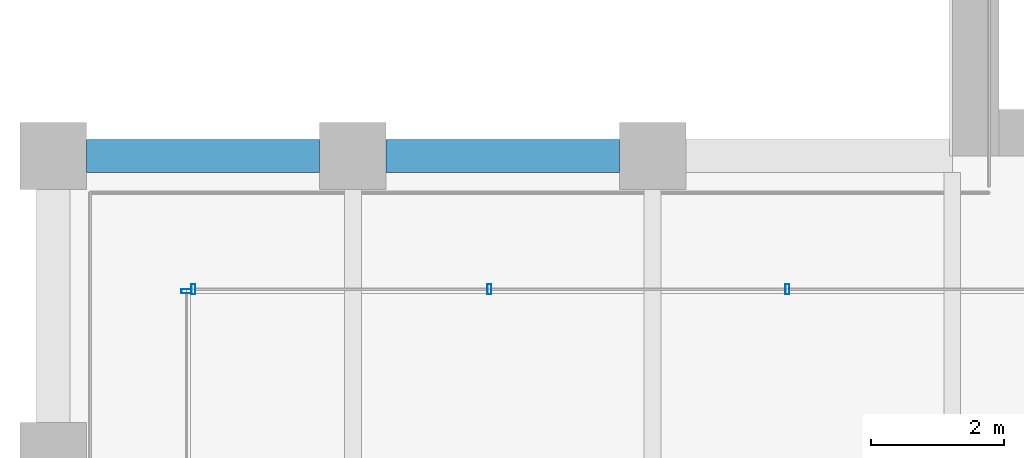
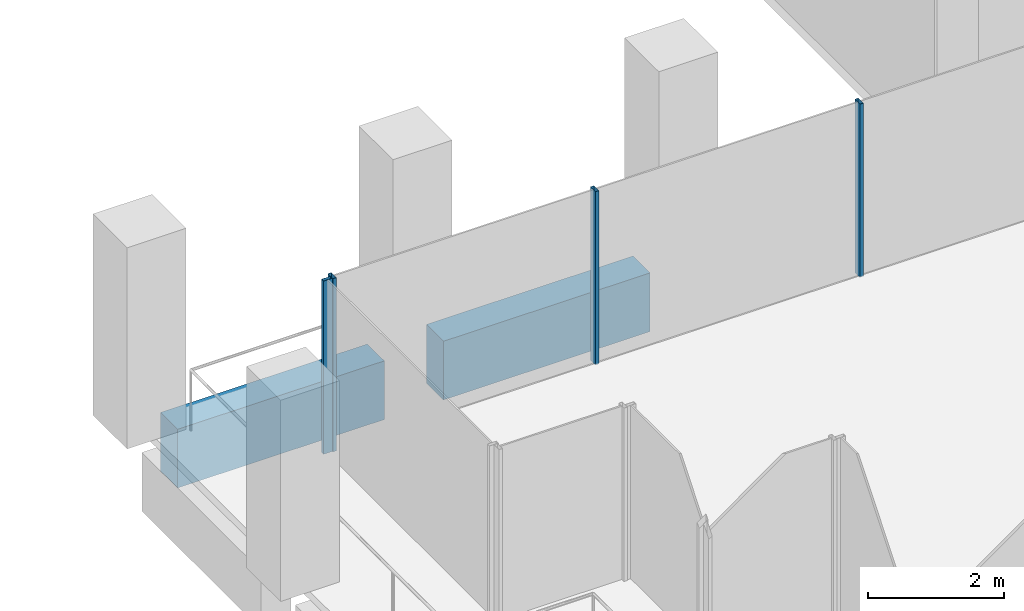
# One storey, part 5 of 47: 4 members, 2 beams, 2 elements without a shape of their own.
"""IFC4 building model written with IfcOpenShell, lengths in metres."""

from ifc_helpers import new_model, si_unit, direction, frame, origin, origin_2d, place, context, subcontext, project, spatial, rectangle, hollow_rectangle, extrude, material, material_profile, profile_set, type_object, element, aggregate, save


model = new_model("IFC4")

# Units and contexts
model_context = context("Model", 3, precision=1e-05, world=origin(), true_north=direction((0.0, 1.0)))
body_context = subcontext(model_context, "Body", "Model", "MODEL_VIEW")
ifc_project = project(units=[si_unit("LENGTHUNIT", "METRE"), si_unit("AREAUNIT", "SQUARE_METRE"), si_unit("VOLUMEUNIT", "CUBIC_METRE"), si_unit("PLANEANGLEUNIT", "RADIAN"), si_unit("MASSUNIT", "GRAM", prefix="KILO")], contexts=[model_context])

# Site, building, storey
site_placement = place(None, origin())
site = spatial("IfcSite", under=ifc_project, at=site_placement, CompositionType="ELEMENT")
building_placement = place(site_placement, origin())
building = spatial("IfcBuilding", under=site, at=building_placement, Name="Altepetl Exchange Towers", CompositionType="ELEMENT")
storey_placement = place(building_placement, frame((0.0, 0.0, 99.199951171875)))
storey = spatial("IfcBuildingStorey", under=building, at=storey_placement, Name="L24", CompositionType="ELEMENT", Elevation=99.199951171875)

# Curtain wall, members
ifc_material_1 = material(Name="Aluminium 6063-T6 glazing", Category="aluminium")
curtain_wall_type = type_object("IfcCurtainWallType", Name="Loggia glazing system", PredefinedType="NOTDEFINED", material=ifc_material_1)
curtain_wall_1_placement = place(storey_placement, origin())
curtain_wall_1 = element("IfcCurtainWall", 1, at=curtain_wall_1_placement, inside=storey, type_object=curtain_wall_type, Name="CW1 run", PredefinedType="NOTDEFINED")
ifc_material_2 = material(Name="Aluminium 6063-T6", Category="aluminium")
ifc_material_profile_1 = material_profile(ifc_material_2, hollow_rectangle(XDim=0.06005859375, YDim=0.14990234375, WallThickness=0.0029296875, at=origin_2d()), Name="Mullion 60x150 aluminium")
ifc_profile_set_1 = profile_set([ifc_material_profile_1], Name="Aluminium 6063-T6")
member_type = type_object("IfcMemberType", Name="Mullion 60x150 aluminium", PredefinedType="MULLION", material=ifc_profile_set_1)
member_1_placement = place(storey_placement, frame((38.02490234375, 38.5, 0.0), z_axis=(0.0, 0.0, 1.0), x_axis=(-1.0, 0.0, 0.0)))
member_1 = element("IfcMember", 2, at=member_1_placement, type_object=member_type, Name="MU1 mullion", PredefinedType="MULLION", context=body_context, shape_type="SweptSolid", body=[
    extrude(hollow_rectangle(XDim=0.06005859375, YDim=0.14990234375, WallThickness=0.0029296875, at=origin_2d()), origin(), (0.0, 0.0, 1.0), 3.10009765625),
])
member_2_placement = place(storey_placement, frame((33.550048828125, 38.5, 0.0), z_axis=(0.0, 0.0, 1.0), x_axis=(-1.0, 0.0, 0.0)))
member_2 = element("IfcMember", 3, at=member_2_placement, type_object=member_type, Name="MU1 mullion", PredefinedType="MULLION", context=body_context, shape_type="SweptSolid", body=[
    extrude(hollow_rectangle(XDim=0.06005859375, YDim=0.14990234375, WallThickness=0.0029296875, at=origin_2d()), origin(), (0.0, 0.0, 1.0), 3.10009765625),
])
member_3_placement = place(storey_placement, frame((29.10498046875, 38.5, 0.0), z_axis=(0.0, 0.0, 1.0), x_axis=(-1.0, 0.0, 0.0)))
member_3 = element("IfcMember", 4, at=member_3_placement, type_object=member_type, Name="MU1 mullion", PredefinedType="MULLION", context=body_context, shape_type="SweptSolid", body=[
    extrude(hollow_rectangle(XDim=0.06005859375, YDim=0.14990234375, WallThickness=0.0029296875, at=origin_2d()), origin(), (0.0, 0.0, 1.0), 3.10009765625),
])
aggregate(curtain_wall_1, [member_1, member_2, member_3])

# Curtain wall, member
curtain_wall_2_placement = place(storey_placement, origin())
curtain_wall_2 = element("IfcCurtainWall", 5, at=curtain_wall_2_placement, inside=storey, type_object=curtain_wall_type, Name="CW1 run", PredefinedType="NOTDEFINED")
member_4_placement = place(storey_placement, frame((29.0, 38.469970703125, 0.0), z_axis=(0.0, 0.0, 1.0), x_axis=(0.0, -1.0, 0.0)))
member_4 = element("IfcMember", 6, at=member_4_placement, type_object=member_type, Name="MU1 mullion", PredefinedType="MULLION", context=body_context, shape_type="SweptSolid", body=[
    extrude(hollow_rectangle(XDim=0.06005859375, YDim=0.14990234375, WallThickness=0.0029296875, at=origin_2d()), origin(), (0.0, 0.0, 1.0), 3.10009765625),
])
aggregate(curtain_wall_2, [member_4])

# Beams
ifc_material_3 = material(Name="Concrete C50/60 precast with tezontle facing", Category="concrete")
ifc_material_profile_2 = material_profile(ifc_material_3, rectangle(XDim=0.5, YDim=1.050048828125, at=origin_2d()), Name="500 x 1050")
ifc_profile_set_2 = profile_set([ifc_material_profile_2], Name="Concrete C50/60 precast with tezontle facing")
beam_type = type_object("IfcBeamType", Name="Spandrel beam 500x1050 tezontle", PredefinedType="SPANDREL", material=ifc_profile_set_2)
for number, where, z_axis, x_axis, name in (
    (7, (35.5, 40.5, -0.675048828125), (-1.0, 0.0, 0.0), (0.0, -1.0, 0.0), "sp:A:L24:034"),
    (8, (31.0, 40.5, -0.675048828125), (-1.0, 0.0, 0.0), (0.0, -1.0, 0.0), "sp:A:L24:035"),
):
    element("IfcBeam", number, at=place(storey_placement, frame(where, z_axis=z_axis, x_axis=x_axis)), inside=storey, type_object=beam_type, Name=name, PredefinedType="SPANDREL", context=body_context, shape_type="SweptSolid", body=[
        extrude(rectangle(XDim=0.5, YDim=1.050048828125, at=origin_2d()), origin(), (0.0, 0.0, 1.0), 3.5),
    ])

save(model, "model.ifc")
